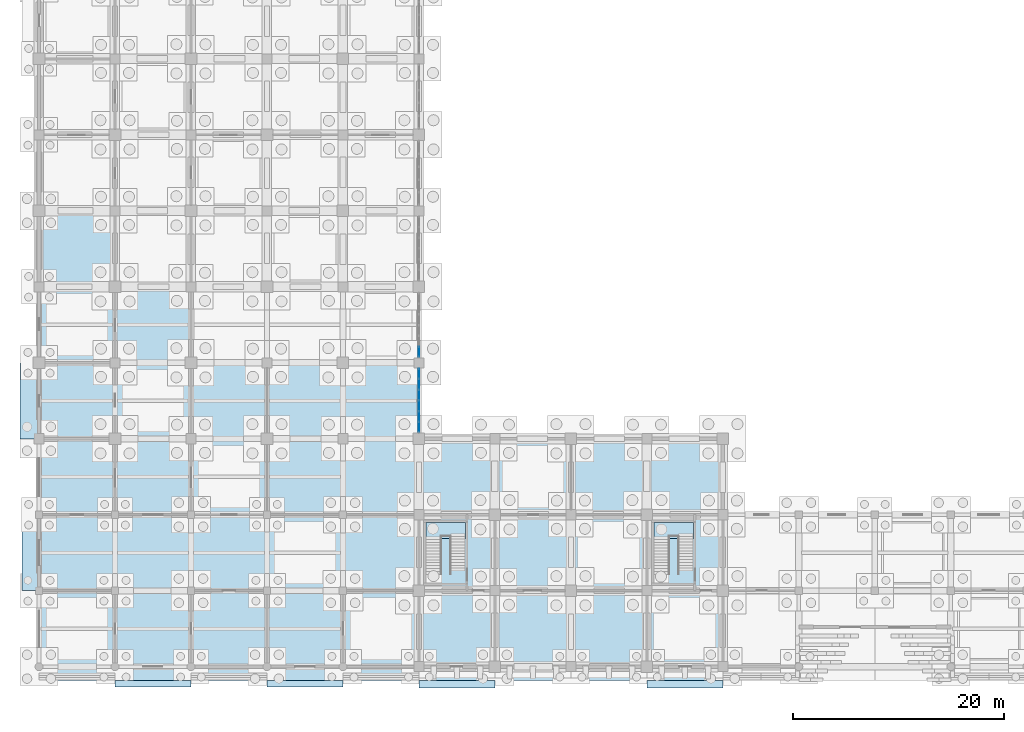
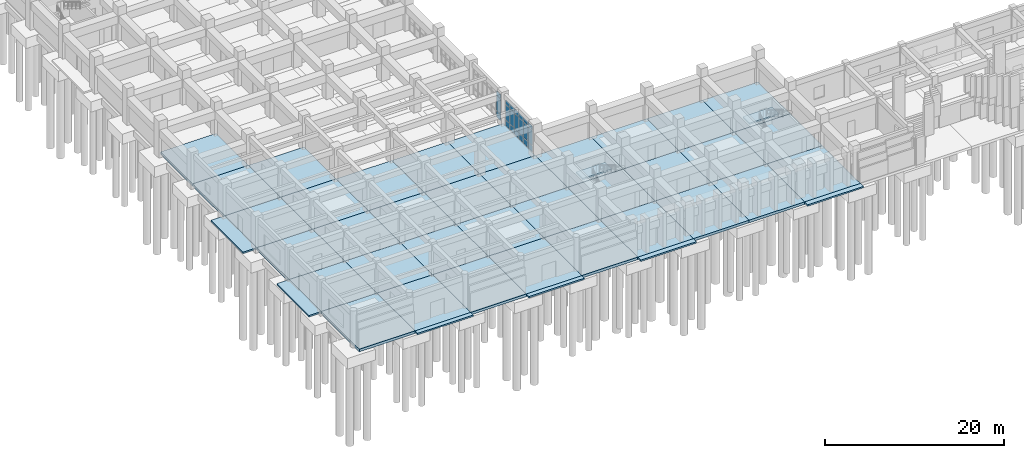
# One storey, part 43 of 79: 43 slabs, 21 plates, 4 elements without a shape of their own.
"""IFC4 building model written with IfcOpenShell, lengths in metres."""

from ifc_helpers import new_model, si_unit, direction, frame, origin, origin_2d, place, context, subcontext, project, spatial, polyline, rectangle, outline, extrude, material, layer, layer_set, type_object, element, aggregate, save


model = new_model("IFC4")

# Units and contexts
model_context = context("Model", 3, precision=1e-05, world=origin(), true_north=direction((0.0, 1.0)))
body_context = subcontext(model_context, "Body", "Model", "MODEL_VIEW")
ifc_project = project(units=[si_unit("LENGTHUNIT", "METRE"), si_unit("AREAUNIT", "SQUARE_METRE"), si_unit("VOLUMEUNIT", "CUBIC_METRE"), si_unit("PLANEANGLEUNIT", "RADIAN"), si_unit("MASSUNIT", "GRAM", prefix="KILO")], contexts=[model_context])

# Site, building, storey
site_placement = place(None, origin())
site = spatial("IfcSite", under=ifc_project, at=site_placement, CompositionType="ELEMENT")
building_placement = place(site_placement, origin())
building = spatial("IfcBuilding", under=site, at=building_placement, Name="Kavelor Marine Aquarium", CompositionType="ELEMENT")
storey_placement = place(building_placement, origin())
storey = spatial("IfcBuildingStorey", under=building, at=storey_placement, Name="L00", CompositionType="ELEMENT", Elevation=0.0)

# Curtain wall, plates
ifc_material_1 = material(Name="Thermally Broken Aluminium and Low-E Glass", Category="aluminium")
ifc_layer_1 = layer(ifc_material_1, 0.156005859375)
ifc_layer_set_1 = layer_set([ifc_layer_1], Name="CW-SYS2")
curtain_wall_type_1 = type_object("IfcCurtainWallType", Name="CW-SYS2", PredefinedType="USERDEFINED", material=ifc_layer_set_1)
curtain_wall_1_placement = place(storey_placement, origin())
curtain_wall_1 = element("IfcCurtainWall", 1, at=curtain_wall_1_placement, inside=storey, type_object=curtain_wall_type_1, Name="cw:y:L00:05_03", ObjectType="Curtain Wall", PredefinedType="USERDEFINED")
ifc_material_2 = material(Name="Solar-Control Double Low-E Glazing", Category="glass")
ifc_layer_2 = layer(ifc_material_2, 0.028076171875)
ifc_layer_set_2 = layer_set([ifc_layer_2], Name="CWP-02")
plate_type_1 = type_object("IfcPlateType", Name="CWP-02", PredefinedType="CURTAIN_PANEL", material=ifc_layer_set_2)
plate_1_placement = place(storey_placement, frame((39.199951171875, 25.518310546875, 0.06494140625), z_axis=(0.0, 0.0, 1.0), x_axis=(0.0, 1.0, 0.0)))
plate_1 = element("IfcPlate", 2, at=plate_1_placement, type_object=plate_type_1, Name="CW02 panel 1.1", PredefinedType="CURTAIN_PANEL", context=body_context, shape_type="SweptSolid", body=[
    extrude(rectangle(XDim=0.916748046875, YDim=0.028076171875, at=origin_2d()), origin(), (0.0, 0.0, 1.0), 0.802490234375),
])
plate_2_placement = place(storey_placement, frame((39.199951171875, 25.518310546875, 0.9326171875), z_axis=(0.0, 0.0, 1.0), x_axis=(0.0, 1.0, 0.0)))
plate_2 = element("IfcPlate", 3, at=plate_2_placement, type_object=plate_type_1, Name="CW02 panel 1.2", PredefinedType="CURTAIN_PANEL", context=body_context, shape_type="SweptSolid", body=[
    extrude(rectangle(XDim=0.916748046875, YDim=0.028076171875, at=origin_2d()), origin(), (0.0, 0.0, 1.0), 2.054931640625),
])
plate_3_placement = place(storey_placement, frame((39.199951171875, 25.518310546875, 3.052734375), z_axis=(0.0, 0.0, 1.0), x_axis=(0.0, 1.0, 0.0)))
plate_3 = element("IfcPlate", 4, at=plate_3_placement, type_object=plate_type_1, Name="CW02 panel 1.3", PredefinedType="CURTAIN_PANEL", context=body_context, shape_type="SweptSolid", body=[
    extrude(rectangle(XDim=0.916748046875, YDim=0.028076171875, at=origin_2d()), origin(), (0.0, 0.0, 1.0), 0.552490234375),
])
plate_4_placement = place(storey_placement, frame((39.199951171875, 26.516357421875, 0.06494140625), z_axis=(0.0, 0.0, 1.0), x_axis=(0.0, 1.0, 0.0)))
plate_4 = element("IfcPlate", 5, at=plate_4_placement, type_object=plate_type_1, Name="CW02 panel 2.1", PredefinedType="CURTAIN_PANEL", context=body_context, shape_type="SweptSolid", body=[
    extrude(rectangle(XDim=0.94921875, YDim=0.028076171875, at=origin_2d()), origin(), (0.0, 0.0, 1.0), 0.802490234375),
])
plate_5_placement = place(storey_placement, frame((39.199951171875, 26.516357421875, 0.9326171875), z_axis=(0.0, 0.0, 1.0), x_axis=(0.0, 1.0, 0.0)))
plate_5 = element("IfcPlate", 6, at=plate_5_placement, type_object=plate_type_1, Name="CW02 panel 2.2", PredefinedType="CURTAIN_PANEL", context=body_context, shape_type="SweptSolid", body=[
    extrude(rectangle(XDim=0.94921875, YDim=0.028076171875, at=origin_2d()), origin(), (0.0, 0.0, 1.0), 2.054931640625),
])
plate_6_placement = place(storey_placement, frame((39.199951171875, 26.516357421875, 3.052734375), z_axis=(0.0, 0.0, 1.0), x_axis=(0.0, 1.0, 0.0)))
plate_6 = element("IfcPlate", 7, at=plate_6_placement, type_object=plate_type_1, Name="CW02 panel 2.3", PredefinedType="CURTAIN_PANEL", context=body_context, shape_type="SweptSolid", body=[
    extrude(rectangle(XDim=0.94921875, YDim=0.028076171875, at=origin_2d()), origin(), (0.0, 0.0, 1.0), 0.552490234375),
])
plate_7_placement = place(storey_placement, frame((39.199951171875, 27.530517578125, 0.06494140625), z_axis=(0.0, 0.0, 1.0), x_axis=(0.0, 1.0, 0.0)))
plate_7 = element("IfcPlate", 8, at=plate_7_placement, type_object=plate_type_1, Name="CW02 panel 3.1", PredefinedType="CURTAIN_PANEL", context=body_context, shape_type="SweptSolid", body=[
    extrude(rectangle(XDim=0.94921875, YDim=0.028076171875, at=origin_2d()), origin(), (0.0, 0.0, 1.0), 0.802490234375),
])
plate_8_placement = place(storey_placement, frame((39.199951171875, 27.530517578125, 0.9326171875), z_axis=(0.0, 0.0, 1.0), x_axis=(0.0, 1.0, 0.0)))
plate_8 = element("IfcPlate", 9, at=plate_8_placement, type_object=plate_type_1, Name="CW02 panel 3.2", PredefinedType="CURTAIN_PANEL", context=body_context, shape_type="SweptSolid", body=[
    extrude(rectangle(XDim=0.94921875, YDim=0.028076171875, at=origin_2d()), origin(), (0.0, 0.0, 1.0), 2.054931640625),
])
plate_9_placement = place(storey_placement, frame((39.199951171875, 27.530517578125, 3.052734375), z_axis=(0.0, 0.0, 1.0), x_axis=(0.0, 1.0, 0.0)))
plate_9 = element("IfcPlate", 10, at=plate_9_placement, type_object=plate_type_1, Name="CW02 panel 3.3", PredefinedType="CURTAIN_PANEL", context=body_context, shape_type="SweptSolid", body=[
    extrude(rectangle(XDim=0.94921875, YDim=0.028076171875, at=origin_2d()), origin(), (0.0, 0.0, 1.0), 0.552490234375),
])
plate_10_placement = place(storey_placement, frame((39.199951171875, 28.544677734375, 0.06494140625), z_axis=(0.0, 0.0, 1.0), x_axis=(0.0, 1.0, 0.0)))
plate_10 = element("IfcPlate", 11, at=plate_10_placement, type_object=plate_type_1, Name="CW02 panel 4.1", PredefinedType="CURTAIN_PANEL", context=body_context, shape_type="SweptSolid", body=[
    extrude(rectangle(XDim=0.94921875, YDim=0.028076171875, at=origin_2d()), origin(), (0.0, 0.0, 1.0), 0.802490234375),
])
plate_11_placement = place(storey_placement, frame((39.199951171875, 28.544677734375, 0.9326171875), z_axis=(0.0, 0.0, 1.0), x_axis=(0.0, 1.0, 0.0)))
plate_11 = element("IfcPlate", 12, at=plate_11_placement, type_object=plate_type_1, Name="CW02 panel 4.2", PredefinedType="CURTAIN_PANEL", context=body_context, shape_type="SweptSolid", body=[
    extrude(rectangle(XDim=0.94921875, YDim=0.028076171875, at=origin_2d()), origin(), (0.0, 0.0, 1.0), 2.054931640625),
])
plate_12_placement = place(storey_placement, frame((39.199951171875, 28.544677734375, 3.052734375), z_axis=(0.0, 0.0, 1.0), x_axis=(0.0, 1.0, 0.0)))
plate_12 = element("IfcPlate", 13, at=plate_12_placement, type_object=plate_type_1, Name="CW02 panel 4.3", PredefinedType="CURTAIN_PANEL", context=body_context, shape_type="SweptSolid", body=[
    extrude(rectangle(XDim=0.94921875, YDim=0.028076171875, at=origin_2d()), origin(), (0.0, 0.0, 1.0), 0.552490234375),
])
plate_13_placement = place(storey_placement, frame((39.199951171875, 29.558837890625, 0.06494140625), z_axis=(0.0, 0.0, 1.0), x_axis=(0.0, 1.0, 0.0)))
plate_13 = element("IfcPlate", 14, at=plate_13_placement, type_object=plate_type_1, Name="CW02 panel 5.1", PredefinedType="CURTAIN_PANEL", context=body_context, shape_type="SweptSolid", body=[
    extrude(rectangle(XDim=0.94921875, YDim=0.028076171875, at=origin_2d()), origin(), (0.0, 0.0, 1.0), 0.802490234375),
])
plate_14_placement = place(storey_placement, frame((39.199951171875, 29.558837890625, 0.9326171875), z_axis=(0.0, 0.0, 1.0), x_axis=(0.0, 1.0, 0.0)))
plate_14 = element("IfcPlate", 15, at=plate_14_placement, type_object=plate_type_1, Name="CW02 panel 5.2", PredefinedType="CURTAIN_PANEL", context=body_context, shape_type="SweptSolid", body=[
    extrude(rectangle(XDim=0.94921875, YDim=0.028076171875, at=origin_2d()), origin(), (0.0, 0.0, 1.0), 2.054931640625),
])
plate_15_placement = place(storey_placement, frame((39.199951171875, 29.558837890625, 3.052734375), z_axis=(0.0, 0.0, 1.0), x_axis=(0.0, 1.0, 0.0)))
plate_15 = element("IfcPlate", 16, at=plate_15_placement, type_object=plate_type_1, Name="CW02 panel 5.3", PredefinedType="CURTAIN_PANEL", context=body_context, shape_type="SweptSolid", body=[
    extrude(rectangle(XDim=0.94921875, YDim=0.028076171875, at=origin_2d()), origin(), (0.0, 0.0, 1.0), 0.552490234375),
])
plate_16_placement = place(storey_placement, frame((39.199951171875, 30.556640625, 0.06494140625), z_axis=(0.0, 0.0, 1.0), x_axis=(0.0, 1.0, 0.0)))
plate_16 = element("IfcPlate", 17, at=plate_16_placement, type_object=plate_type_1, Name="CW02 panel 6.1", PredefinedType="CURTAIN_PANEL", context=body_context, shape_type="SweptSolid", body=[
    extrude(rectangle(XDim=0.916748046875, YDim=0.028076171875, at=origin_2d()), origin(), (0.0, 0.0, 1.0), 0.802490234375),
])
plate_17_placement = place(storey_placement, frame((39.199951171875, 30.556640625, 0.9326171875), z_axis=(0.0, 0.0, 1.0), x_axis=(0.0, 1.0, 0.0)))
plate_17 = element("IfcPlate", 18, at=plate_17_placement, type_object=plate_type_1, Name="CW02 panel 6.2", PredefinedType="CURTAIN_PANEL", context=body_context, shape_type="SweptSolid", body=[
    extrude(rectangle(XDim=0.916748046875, YDim=0.028076171875, at=origin_2d()), origin(), (0.0, 0.0, 1.0), 2.054931640625),
])
plate_18_placement = place(storey_placement, frame((39.199951171875, 30.556640625, 3.052734375), z_axis=(0.0, 0.0, 1.0), x_axis=(0.0, 1.0, 0.0)))
plate_18 = element("IfcPlate", 19, at=plate_18_placement, type_object=plate_type_1, Name="CW02 panel 6.3", PredefinedType="CURTAIN_PANEL", context=body_context, shape_type="SweptSolid", body=[
    extrude(rectangle(XDim=0.916748046875, YDim=0.028076171875, at=origin_2d()), origin(), (0.0, 0.0, 1.0), 0.552490234375),
])
aggregate(curtain_wall_1, [plate_1, plate_2, plate_3, plate_4, plate_5, plate_6, plate_7, plate_8, plate_9, plate_10, plate_11, plate_12, plate_13, plate_14, plate_15, plate_16, plate_17, plate_18])

ifc_material_3 = material(Name="Thermally Broken Aluminium and Low-E Glass", Category="aluminium")
ifc_layer_3 = layer(ifc_material_3, 0.1640625)
ifc_layer_set_3 = layer_set([ifc_layer_3], Name="CW-SYS3")
curtain_wall_type_2 = type_object("IfcCurtainWallType", Name="CW-SYS3", PredefinedType="USERDEFINED", material=ifc_layer_set_3)
curtain_wall_2_placement = place(storey_placement, origin())
curtain_wall_2 = element("IfcCurtainWall", 20, at=curtain_wall_2_placement, inside=storey, type_object=curtain_wall_type_2, Name="cw:y:L00:05_04", ObjectType="Curtain Wall", PredefinedType="USERDEFINED")
ifc_material_4 = material(Name="Solar-Control Double Low-E Glazing", Category="glass")
ifc_layer_4 = layer(ifc_material_4, 0.030029296875)
ifc_layer_set_4 = layer_set([ifc_layer_4], Name="CWP-03")
plate_type_2 = type_object("IfcPlateType", Name="CWP-03", PredefinedType="CURTAIN_PANEL", material=ifc_layer_set_4)
plate_19_placement = place(storey_placement, frame((39.199951171875, 32.64208984375, 0.06494140625), z_axis=(0.0, 0.0, 1.0), x_axis=(0.0, 1.0, 0.0)))
plate_19 = element("IfcPlate", 21, at=plate_19_placement, type_object=plate_type_2, Name="CW03 panel 1.1", PredefinedType="CURTAIN_PANEL", context=body_context, shape_type="SweptSolid", body=[
    extrude(rectangle(XDim=0.924072265625, YDim=0.030029296875, at=origin_2d()), origin(), (0.0, 0.0, 1.0), 0.802490234375),
])
plate_20_placement = place(storey_placement, frame((39.199951171875, 32.64208984375, 0.9326171875), z_axis=(0.0, 0.0, 1.0), x_axis=(0.0, 1.0, 0.0)))
plate_20 = element("IfcPlate", 22, at=plate_20_placement, type_object=plate_type_2, Name="CW03 panel 1.2", PredefinedType="CURTAIN_PANEL", context=body_context, shape_type="SweptSolid", body=[
    extrude(rectangle(XDim=0.924072265625, YDim=0.030029296875, at=origin_2d()), origin(), (0.0, 0.0, 1.0), 2.054931640625),
])
plate_21_placement = place(storey_placement, frame((39.199951171875, 32.64208984375, 3.052734375), z_axis=(0.0, 0.0, 1.0), x_axis=(0.0, 1.0, 0.0)))
plate_21 = element("IfcPlate", 23, at=plate_21_placement, type_object=plate_type_2, Name="CW03 panel 1.3", PredefinedType="CURTAIN_PANEL", context=body_context, shape_type="SweptSolid", body=[
    extrude(rectangle(XDim=0.924072265625, YDim=0.030029296875, at=origin_2d()), origin(), (0.0, 0.0, 1.0), 0.552490234375),
])
aggregate(curtain_wall_2, [plate_19, plate_20, plate_21])

# Stair, slab
ifc_material_5 = material(Name="Concrete C40/50", Category="concrete")
stair_type = type_object("IfcStairType", Name="ST-T1", PredefinedType="HALF_TURN_STAIR", material=ifc_material_5)
stair_1_placement = place(storey_placement, origin())
stair_1 = element("IfcStair", 24, at=stair_1_placement, inside=storey, type_object=stair_type, Name="Exit Stair ST04 (L00)", PredefinedType="HALF_TURN_STAIR")
ifc_material_6 = material(Name="Concrete C40/50", Category="concrete")
ifc_layer_5 = layer(ifc_material_6, 0.199951171875)
ifc_layer_set_5 = layer_set([ifc_layer_5], Name="LND-T1")
slab_type_1 = type_object("IfcSlabType", Name="LND-T1", PredefinedType="LANDING", material=ifc_layer_set_5)
slab_1_placement = place(storey_placement, frame((0.0, 0.0, 2.139892578125)))
slab_1 = element("IfcSlab", 25, at=slab_1_placement, type_object=slab_type_1, Name="ST04 landing 1", PredefinedType="LANDING", context=body_context, shape_type="SweptSolid", body=[
    extrude(outline(polyline([(39.860107421875, 14.955078125), (43.6201171875, 14.955078125), (43.6201171875, 16.4599609375), (39.860107421875, 16.4599609375), (39.860107421875, 14.955078125)])), origin(), (0.0, 0.0, 1.0), 0.2001953125),
])
aggregate(stair_1, [slab_1])

stair_2_placement = place(storey_placement, origin())
stair_2 = element("IfcStair", 26, at=stair_2_placement, inside=storey, type_object=stair_type, Name="Exit Stair ST12 (L00)", PredefinedType="HALF_TURN_STAIR")
slab_2_placement = place(storey_placement, frame((0.0, 0.0, 2.139892578125)))
slab_2 = element("IfcSlab", 27, at=slab_2_placement, type_object=slab_type_1, Name="ST12 landing 1", PredefinedType="LANDING", context=body_context, shape_type="SweptSolid", body=[
    extrude(outline(polyline([(61.4599609375, 14.955078125), (65.219970703125, 14.955078125), (65.219970703125, 16.4599609375), (61.4599609375, 16.4599609375), (61.4599609375, 14.955078125)])), origin(), (0.0, 0.0, 1.0), 0.2001953125),
])
aggregate(stair_2, [slab_2])

# Slabs
ifc_material_7 = material(Name="Textured Coastal Granite Paving", Category="masonry")
ifc_layer_6 = layer(ifc_material_7, 0.199951171875)
ifc_layer_set_6 = layer_set([ifc_layer_6], Name="SL-AP1")
slab_type_2 = type_object("IfcSlabType", Name="SL-AP1", PredefinedType="BASESLAB", material=ifc_layer_set_6)
slab_3_placement = place(storey_placement, frame((0.0, 0.0, -0.199951171875)))
element("IfcSlab", 28, at=slab_3_placement, inside=storey, type_object=slab_type_2, Name="apron:ed:01", PredefinedType="BASESLAB", context=body_context, shape_type="SweptSolid", body=[
    extrude(outline(polyline([(10.39990234375, 0.89990234375), (17.60009765625, 0.89990234375), (17.60009765625, 1.47998046875), (10.39990234375, 1.47998046875), (10.39990234375, 0.89990234375)])), origin(), (0.0, 0.0, 1.0), 0.199951171875),
])
slab_4_placement = place(storey_placement, frame((0.0, 0.0, -0.199951171875)))
element("IfcSlab", 29, at=slab_4_placement, inside=storey, type_object=slab_type_2, Name="apron:ed:02", PredefinedType="BASESLAB", context=body_context, shape_type="SweptSolid", body=[
    extrude(outline(polyline([(24.800048828125, 0.89990234375), (32.0, 0.89990234375), (32.0, 1.47998046875), (24.800048828125, 1.47998046875), (24.800048828125, 0.89990234375)])), origin(), (0.0, 0.0, 1.0), 0.199951171875),
])
slab_5_placement = place(storey_placement, frame((0.0, 0.0, -0.199951171875)))
element("IfcSlab", 30, at=slab_5_placement, inside=storey, type_object=slab_type_2, Name="apron:sd2:x:05_00", PredefinedType="BASESLAB", context=body_context, shape_type="SweptSolid", body=[
    extrude(outline(polyline([(39.199951171875, 0.800048828125), (46.39990234375, 0.800048828125), (46.39990234375, 1.47998046875), (39.199951171875, 1.47998046875), (39.199951171875, 0.800048828125)])), origin(), (0.0, 0.0, 1.0), 0.199951171875),
])
slab_6_placement = place(storey_placement, frame((0.0, 0.0, -0.199951171875)))
element("IfcSlab", 31, at=slab_6_placement, inside=storey, type_object=slab_type_2, Name="apron:sd2:x:08_00", PredefinedType="BASESLAB", context=body_context, shape_type="SweptSolid", body=[
    extrude(outline(polyline([(60.800048828125, 0.800048828125), (68.0, 0.800048828125), (68.0, 1.47998046875), (60.800048828125, 1.47998046875), (60.800048828125, 0.800048828125)])), origin(), (0.0, 0.0, 1.0), 0.199951171875),
])
slab_7_placement = place(storey_placement, frame((0.0, 0.0, -0.199951171875)))
element("IfcSlab", 32, at=slab_7_placement, inside=storey, type_object=slab_type_2, Name="apron:ed:05", PredefinedType="BASESLAB", context=body_context, shape_type="SweptSolid", body=[
    extrude(outline(polyline([(1.60009765625, 10.0), (3.199951171875, 10.0), (3.199951171875, 17.199951171875), (1.60009765625, 17.199951171875), (1.60009765625, 10.0)])), origin(), (0.0, 0.0, 1.0), 0.199951171875),
])
slab_8_placement = place(storey_placement, frame((0.0, 0.0, -0.199951171875)))
element("IfcSlab", 33, at=slab_8_placement, inside=storey, type_object=slab_type_2, Name="apron:fc:01", PredefinedType="BASESLAB", context=body_context, shape_type="SweptSolid", body=[
    extrude(outline(polyline([(1.39990234375, 24.39990234375), (3.199951171875, 24.39990234375), (3.199951171875, 31.60009765625), (1.39990234375, 31.60009765625), (1.39990234375, 24.39990234375)])), origin(), (0.0, 0.0, 1.0), 0.199951171875),
])
ifc_material_8 = material(Name="Concrete C40/50", Category="concrete")
ifc_layer_7 = layer(ifc_material_8, 0.35009765625)
ifc_layer_set_7 = layer_set([ifc_layer_7], Name="SL-BS2")
slab_type_3 = type_object("IfcSlabType", Name="SL-BS2", PredefinedType="BASESLAB", material=ifc_layer_set_7)
slab_9_placement = place(storey_placement, frame((0.0, 0.0, -0.35009765625)))
element("IfcSlab", 34, at=slab_9_placement, inside=storey, type_object=slab_type_3, Name="slab:L00:00_00", PredefinedType="BASESLAB", context=body_context, shape_type="SweptSolid", body=[
    extrude(outline(polyline([(3.199951171875, 1.47998046875), (10.39990234375, 1.47998046875), (10.39990234375, 10.0), (3.199951171875, 10.0), (3.199951171875, 1.47998046875)])), origin(), (0.0, 0.0, 1.0), 0.35009765625),
])
slab_10_placement = place(storey_placement, frame((0.0, 0.0, -0.35009765625)))
element("IfcSlab", 35, at=slab_10_placement, inside=storey, type_object=slab_type_3, Name="slab:L00:00_01", PredefinedType="BASESLAB", context=body_context, shape_type="SweptSolid", body=[
    extrude(outline(polyline([(3.199951171875, 10.0), (10.39990234375, 10.0), (10.39990234375, 17.199951171875), (3.199951171875, 17.199951171875), (3.199951171875, 10.0)])), origin(), (0.0, 0.0, 1.0), 0.35009765625),
])
slab_11_placement = place(storey_placement, frame((0.0, 0.0, -0.35009765625)))
element("IfcSlab", 36, at=slab_11_placement, inside=storey, type_object=slab_type_3, Name="slab:L00:00_02", PredefinedType="BASESLAB", context=body_context, shape_type="SweptSolid", body=[
    extrude(outline(polyline([(3.199951171875, 17.199951171875), (10.39990234375, 17.199951171875), (10.39990234375, 24.39990234375), (3.199951171875, 24.39990234375), (3.199951171875, 17.199951171875)])), origin(), (0.0, 0.0, 1.0), 0.35009765625),
])
slab_12_placement = place(storey_placement, frame((0.0, 0.0, -0.35009765625)))
element("IfcSlab", 37, at=slab_12_placement, inside=storey, type_object=slab_type_3, Name="slab:L00:00_03", PredefinedType="BASESLAB", context=body_context, shape_type="SweptSolid", body=[
    extrude(outline(polyline([(3.199951171875, 24.39990234375), (10.39990234375, 24.39990234375), (10.39990234375, 31.60009765625), (3.199951171875, 31.60009765625), (3.199951171875, 24.39990234375)])), origin(), (0.0, 0.0, 1.0), 0.35009765625),
])
slab_13_placement = place(storey_placement, frame((0.0, 0.0, -0.35009765625)))
element("IfcSlab", 38, at=slab_13_placement, inside=storey, type_object=slab_type_3, Name="slab:L00:00_04", PredefinedType="BASESLAB", context=body_context, shape_type="SweptSolid", body=[
    extrude(outline(polyline([(3.199951171875, 31.60009765625), (10.39990234375, 31.60009765625), (10.39990234375, 38.800048828125), (3.199951171875, 38.800048828125), (3.199951171875, 31.60009765625)])), origin(), (0.0, 0.0, 1.0), 0.35009765625),
])
slab_14_placement = place(storey_placement, frame((0.0, 0.0, -0.35009765625)))
element("IfcSlab", 39, at=slab_14_placement, inside=storey, type_object=slab_type_3, Name="slab:L00:00_05", PredefinedType="BASESLAB", context=body_context, shape_type="SweptSolid", body=[
    extrude(outline(polyline([(3.199951171875, 38.800048828125), (10.39990234375, 38.800048828125), (10.39990234375, 46.0), (3.199951171875, 46.0), (3.199951171875, 38.800048828125)])), origin(), (0.0, 0.0, 1.0), 0.35009765625),
])
slab_15_placement = place(storey_placement, frame((0.0, 0.0, -0.35009765625)))
element("IfcSlab", 40, at=slab_15_placement, inside=storey, type_object=slab_type_3, Name="slab:L00:01_00", PredefinedType="BASESLAB", context=body_context, shape_type="SweptSolid", body=[
    extrude(outline(polyline([(10.39990234375, 1.47998046875), (17.60009765625, 1.47998046875), (17.60009765625, 10.0), (10.39990234375, 10.0), (10.39990234375, 1.47998046875)])), origin(), (0.0, 0.0, 1.0), 0.35009765625),
])
slab_16_placement = place(storey_placement, frame((0.0, 0.0, -0.35009765625)))
element("IfcSlab", 41, at=slab_16_placement, inside=storey, type_object=slab_type_3, Name="slab:L00:01_01", PredefinedType="BASESLAB", context=body_context, shape_type="SweptSolid", body=[
    extrude(outline(polyline([(10.39990234375, 10.0), (17.60009765625, 10.0), (17.60009765625, 17.199951171875), (10.39990234375, 17.199951171875), (10.39990234375, 10.0)])), origin(), (0.0, 0.0, 1.0), 0.35009765625),
])
slab_17_placement = place(storey_placement, frame((0.0, 0.0, -0.35009765625)))
element("IfcSlab", 42, at=slab_17_placement, inside=storey, type_object=slab_type_3, Name="slab:L00:01_02", PredefinedType="BASESLAB", context=body_context, shape_type="SweptSolid", body=[
    extrude(outline(polyline([(10.39990234375, 17.199951171875), (17.60009765625, 17.199951171875), (17.60009765625, 24.39990234375), (10.39990234375, 24.39990234375), (10.39990234375, 17.199951171875)])), origin(), (0.0, 0.0, 1.0), 0.35009765625),
])
slab_18_placement = place(storey_placement, frame((0.0, 0.0, -0.35009765625)))
element("IfcSlab", 43, at=slab_18_placement, inside=storey, type_object=slab_type_3, Name="slab:L00:01_03", PredefinedType="BASESLAB", context=body_context, shape_type="SweptSolid", body=[
    extrude(outline(polyline([(10.39990234375, 24.39990234375), (17.60009765625, 24.39990234375), (17.60009765625, 31.60009765625), (10.39990234375, 31.60009765625), (10.39990234375, 24.39990234375)])), origin(), (0.0, 0.0, 1.0), 0.35009765625),
])
slab_19_placement = place(storey_placement, frame((0.0, 0.0, -0.35009765625)))
element("IfcSlab", 44, at=slab_19_placement, inside=storey, type_object=slab_type_3, Name="slab:L00:01_04", PredefinedType="BASESLAB", context=body_context, shape_type="SweptSolid", body=[
    extrude(outline(polyline([(10.39990234375, 31.60009765625), (17.60009765625, 31.60009765625), (17.60009765625, 38.800048828125), (10.39990234375, 38.800048828125), (10.39990234375, 31.60009765625)])), origin(), (0.0, 0.0, 1.0), 0.35009765625),
])
slab_20_placement = place(storey_placement, frame((0.0, 0.0, -0.35009765625)))
element("IfcSlab", 45, at=slab_20_placement, inside=storey, type_object=slab_type_3, Name="slab:L00:02_00", PredefinedType="BASESLAB", context=body_context, shape_type="SweptSolid", body=[
    extrude(outline(polyline([(17.60009765625, 1.47998046875), (24.800048828125, 1.47998046875), (24.800048828125, 10.0), (17.60009765625, 10.0), (17.60009765625, 1.47998046875)])), origin(), (0.0, 0.0, 1.0), 0.35009765625),
])
slab_21_placement = place(storey_placement, frame((0.0, 0.0, -0.35009765625)))
element("IfcSlab", 46, at=slab_21_placement, inside=storey, type_object=slab_type_3, Name="slab:L00:02_01", PredefinedType="BASESLAB", context=body_context, shape_type="SweptSolid", body=[
    extrude(outline(polyline([(17.60009765625, 10.0), (24.800048828125, 10.0), (24.800048828125, 17.199951171875), (17.60009765625, 17.199951171875), (17.60009765625, 10.0)])), origin(), (0.0, 0.0, 1.0), 0.35009765625),
])
slab_22_placement = place(storey_placement, frame((0.0, 0.0, -0.35009765625)))
element("IfcSlab", 47, at=slab_22_placement, inside=storey, type_object=slab_type_3, Name="slab:L00:02_02", PredefinedType="BASESLAB", context=body_context, shape_type="SweptSolid", body=[
    extrude(outline(polyline([(17.60009765625, 17.199951171875), (24.800048828125, 17.199951171875), (24.800048828125, 24.39990234375), (17.60009765625, 24.39990234375), (17.60009765625, 17.199951171875)])), origin(), (0.0, 0.0, 1.0), 0.35009765625),
])
slab_23_placement = place(storey_placement, frame((0.0, 0.0, -0.35009765625)))
element("IfcSlab", 48, at=slab_23_placement, inside=storey, type_object=slab_type_3, Name="slab:L00:02_03", PredefinedType="BASESLAB", context=body_context, shape_type="SweptSolid", body=[
    extrude(outline(polyline([(17.60009765625, 24.39990234375), (24.800048828125, 24.39990234375), (24.800048828125, 31.60009765625), (17.60009765625, 31.60009765625), (17.60009765625, 24.39990234375)])), origin(), (0.0, 0.0, 1.0), 0.35009765625),
])
slab_24_placement = place(storey_placement, frame((0.0, 0.0, -0.35009765625)))
element("IfcSlab", 49, at=slab_24_placement, inside=storey, type_object=slab_type_3, Name="slab:L00:03_00", PredefinedType="BASESLAB", context=body_context, shape_type="SweptSolid", body=[
    extrude(outline(polyline([(24.800048828125, 1.47998046875), (32.0, 1.47998046875), (32.0, 10.0), (24.800048828125, 10.0), (24.800048828125, 1.47998046875)])), origin(), (0.0, 0.0, 1.0), 0.35009765625),
])
slab_25_placement = place(storey_placement, frame((0.0, 0.0, -0.35009765625)))
element("IfcSlab", 50, at=slab_25_placement, inside=storey, type_object=slab_type_3, Name="slab:L00:03_01", PredefinedType="BASESLAB", context=body_context, shape_type="SweptSolid", body=[
    extrude(outline(polyline([(24.800048828125, 10.0), (32.0, 10.0), (32.0, 17.199951171875), (24.800048828125, 17.199951171875), (24.800048828125, 10.0)])), origin(), (0.0, 0.0, 1.0), 0.35009765625),
])
slab_26_placement = place(storey_placement, frame((0.0, 0.0, -0.35009765625)))
element("IfcSlab", 51, at=slab_26_placement, inside=storey, type_object=slab_type_3, Name="slab:L00:04_00", PredefinedType="BASESLAB", context=body_context, shape_type="SweptSolid", body=[
    extrude(outline(polyline([(32.0, 1.47998046875), (39.199951171875, 1.47998046875), (39.199951171875, 10.0), (32.0, 10.0), (32.0, 1.47998046875)])), origin(), (0.0, 0.0, 1.0), 0.35009765625),
])
slab_27_placement = place(storey_placement, frame((0.0, 0.0, -0.35009765625)))
element("IfcSlab", 52, at=slab_27_placement, inside=storey, type_object=slab_type_3, Name="slab:L00:04_01", PredefinedType="BASESLAB", context=body_context, shape_type="SweptSolid", body=[
    extrude(outline(polyline([(32.0, 10.0), (39.199951171875, 10.0), (39.199951171875, 17.199951171875), (32.0, 17.199951171875), (32.0, 10.0)])), origin(), (0.0, 0.0, 1.0), 0.35009765625),
])
slab_28_placement = place(storey_placement, frame((0.0, 0.0, -0.35009765625)))
element("IfcSlab", 53, at=slab_28_placement, inside=storey, type_object=slab_type_3, Name="slab:L00:05_00", PredefinedType="BASESLAB", context=body_context, shape_type="SweptSolid", body=[
    extrude(outline(polyline([(39.199951171875, 1.47998046875), (46.39990234375, 1.47998046875), (46.39990234375, 10.0), (39.199951171875, 10.0), (39.199951171875, 1.47998046875)])), origin(), (0.0, 0.0, 1.0), 0.35009765625),
])
slab_29_placement = place(storey_placement, frame((0.0, 0.0, -0.35009765625)))
element("IfcSlab", 54, at=slab_29_placement, inside=storey, type_object=slab_type_3, Name="slab:L00:05_01", PredefinedType="BASESLAB", context=body_context, shape_type="SweptSolid", body=[
    extrude(outline(polyline([(39.199951171875, 10.0), (46.39990234375, 10.0), (46.39990234375, 17.199951171875), (39.199951171875, 17.199951171875), (39.199951171875, 10.0)])), origin(), (0.0, 0.0, 1.0), 0.35009765625),
])
slab_30_placement = place(storey_placement, frame((0.0, 0.0, -0.35009765625)))
element("IfcSlab", 55, at=slab_30_placement, inside=storey, type_object=slab_type_3, Name="slab:L00:05_02", PredefinedType="BASESLAB", context=body_context, shape_type="SweptSolid", body=[
    extrude(outline(polyline([(39.199951171875, 17.199951171875), (46.39990234375, 17.199951171875), (46.39990234375, 24.39990234375), (39.199951171875, 24.39990234375), (39.199951171875, 17.199951171875)])), origin(), (0.0, 0.0, 1.0), 0.35009765625),
])
slab_31_placement = place(storey_placement, frame((0.0, 0.0, -0.35009765625)))
element("IfcSlab", 56, at=slab_31_placement, inside=storey, type_object=slab_type_3, Name="slab:L00:06_00", PredefinedType="BASESLAB", context=body_context, shape_type="SweptSolid", body=[
    extrude(outline(polyline([(46.39990234375, 1.47998046875), (53.60009765625, 1.47998046875), (53.60009765625, 10.0), (46.39990234375, 10.0), (46.39990234375, 1.47998046875)])), origin(), (0.0, 0.0, 1.0), 0.35009765625),
])
slab_32_placement = place(storey_placement, frame((0.0, 0.0, -0.35009765625)))
element("IfcSlab", 57, at=slab_32_placement, inside=storey, type_object=slab_type_3, Name="slab:L00:06_01", PredefinedType="BASESLAB", context=body_context, shape_type="SweptSolid", body=[
    extrude(outline(polyline([(46.39990234375, 10.0), (53.60009765625, 10.0), (53.60009765625, 17.199951171875), (46.39990234375, 17.199951171875), (46.39990234375, 10.0)])), origin(), (0.0, 0.0, 1.0), 0.35009765625),
])
slab_33_placement = place(storey_placement, frame((0.0, 0.0, -0.35009765625)))
element("IfcSlab", 58, at=slab_33_placement, inside=storey, type_object=slab_type_3, Name="slab:L00:06_02", PredefinedType="BASESLAB", context=body_context, shape_type="SweptSolid", body=[
    extrude(outline(polyline([(46.39990234375, 17.199951171875), (53.60009765625, 17.199951171875), (53.60009765625, 24.39990234375), (46.39990234375, 24.39990234375), (46.39990234375, 17.199951171875)])), origin(), (0.0, 0.0, 1.0), 0.35009765625),
])
slab_34_placement = place(storey_placement, frame((0.0, 0.0, -0.35009765625)))
element("IfcSlab", 59, at=slab_34_placement, inside=storey, type_object=slab_type_3, Name="slab:L00:07_00", PredefinedType="BASESLAB", context=body_context, shape_type="SweptSolid", body=[
    extrude(outline(polyline([(53.60009765625, 1.47998046875), (60.800048828125, 1.47998046875), (60.800048828125, 10.0), (53.60009765625, 10.0), (53.60009765625, 1.47998046875)])), origin(), (0.0, 0.0, 1.0), 0.35009765625),
])
slab_35_placement = place(storey_placement, frame((0.0, 0.0, -0.35009765625)))
element("IfcSlab", 60, at=slab_35_placement, inside=storey, type_object=slab_type_3, Name="slab:L00:07_01", PredefinedType="BASESLAB", context=body_context, shape_type="SweptSolid", body=[
    extrude(outline(polyline([(53.60009765625, 10.0), (60.800048828125, 10.0), (60.800048828125, 17.199951171875), (53.60009765625, 17.199951171875), (53.60009765625, 10.0)])), origin(), (0.0, 0.0, 1.0), 0.35009765625),
])
slab_36_placement = place(storey_placement, frame((0.0, 0.0, -0.35009765625)))
element("IfcSlab", 61, at=slab_36_placement, inside=storey, type_object=slab_type_3, Name="slab:L00:07_02", PredefinedType="BASESLAB", context=body_context, shape_type="SweptSolid", body=[
    extrude(outline(polyline([(53.60009765625, 17.199951171875), (60.800048828125, 17.199951171875), (60.800048828125, 24.39990234375), (53.60009765625, 24.39990234375), (53.60009765625, 17.199951171875)])), origin(), (0.0, 0.0, 1.0), 0.35009765625),
])
slab_37_placement = place(storey_placement, frame((0.0, 0.0, -0.35009765625)))
element("IfcSlab", 62, at=slab_37_placement, inside=storey, type_object=slab_type_3, Name="slab:L00:08_00", PredefinedType="BASESLAB", context=body_context, shape_type="SweptSolid", body=[
    extrude(outline(polyline([(60.800048828125, 1.47998046875), (68.0, 1.47998046875), (68.0, 10.0), (60.800048828125, 10.0), (60.800048828125, 1.47998046875)])), origin(), (0.0, 0.0, 1.0), 0.35009765625),
])
slab_38_placement = place(storey_placement, frame((0.0, 0.0, -0.35009765625)))
element("IfcSlab", 63, at=slab_38_placement, inside=storey, type_object=slab_type_3, Name="slab:L00:08_01", PredefinedType="BASESLAB", context=body_context, shape_type="SweptSolid", body=[
    extrude(outline(polyline([(60.800048828125, 10.0), (68.0, 10.0), (68.0, 17.199951171875), (60.800048828125, 17.199951171875), (60.800048828125, 10.0)])), origin(), (0.0, 0.0, 1.0), 0.35009765625),
])
slab_39_placement = place(storey_placement, frame((0.0, 0.0, -0.35009765625)))
element("IfcSlab", 64, at=slab_39_placement, inside=storey, type_object=slab_type_3, Name="slab:L00:08_02", PredefinedType="BASESLAB", context=body_context, shape_type="SweptSolid", body=[
    extrude(outline(polyline([(60.800048828125, 17.199951171875), (68.0, 17.199951171875), (68.0, 24.39990234375), (60.800048828125, 24.39990234375), (60.800048828125, 17.199951171875)])), origin(), (0.0, 0.0, 1.0), 0.35009765625),
])
ifc_material_9 = material(Name="Concrete C45/55", Category="concrete")
ifc_layer_8 = layer(ifc_material_9, 0.5)
ifc_layer_set_8 = layer_set([ifc_layer_8], Name="SL-BT1")
slab_type_4 = type_object("IfcSlabType", Name="SL-BT1", PredefinedType="BASESLAB", material=ifc_layer_set_8)
slab_40_placement = place(storey_placement, frame((0.0, 0.0, -0.5)))
element("IfcSlab", 65, at=slab_40_placement, inside=storey, type_object=slab_type_4, Name="slab:L00:03_02", PredefinedType="BASESLAB", context=body_context, shape_type="SweptSolid", body=[
    extrude(outline(polyline([(24.800048828125, 17.199951171875), (32.0, 17.199951171875), (32.0, 24.39990234375), (24.800048828125, 24.39990234375), (24.800048828125, 17.199951171875)])), origin(), (0.0, 0.0, 1.0), 0.5),
])
slab_41_placement = place(storey_placement, frame((0.0, 0.0, -0.5)))
element("IfcSlab", 66, at=slab_41_placement, inside=storey, type_object=slab_type_4, Name="slab:L00:03_03", PredefinedType="BASESLAB", context=body_context, shape_type="SweptSolid", body=[
    extrude(outline(polyline([(24.800048828125, 24.39990234375), (32.0, 24.39990234375), (32.0, 31.60009765625), (24.800048828125, 31.60009765625), (24.800048828125, 24.39990234375)])), origin(), (0.0, 0.0, 1.0), 0.5),
])
slab_42_placement = place(storey_placement, frame((0.0, 0.0, -0.5)))
element("IfcSlab", 67, at=slab_42_placement, inside=storey, type_object=slab_type_4, Name="slab:L00:04_02", PredefinedType="BASESLAB", context=body_context, shape_type="SweptSolid", body=[
    extrude(outline(polyline([(32.0, 17.199951171875), (39.199951171875, 17.199951171875), (39.199951171875, 24.39990234375), (32.0, 24.39990234375), (32.0, 17.199951171875)])), origin(), (0.0, 0.0, 1.0), 0.5),
])
slab_43_placement = place(storey_placement, frame((0.0, 0.0, -0.5)))
element("IfcSlab", 68, at=slab_43_placement, inside=storey, type_object=slab_type_4, Name="slab:L00:04_03", PredefinedType="BASESLAB", context=body_context, shape_type="SweptSolid", body=[
    extrude(outline(polyline([(32.0, 24.39990234375), (39.199951171875, 24.39990234375), (39.199951171875, 31.60009765625), (32.0, 31.60009765625), (32.0, 24.39990234375)])), origin(), (0.0, 0.0, 1.0), 0.5),
])

save(model, "model.ifc")
